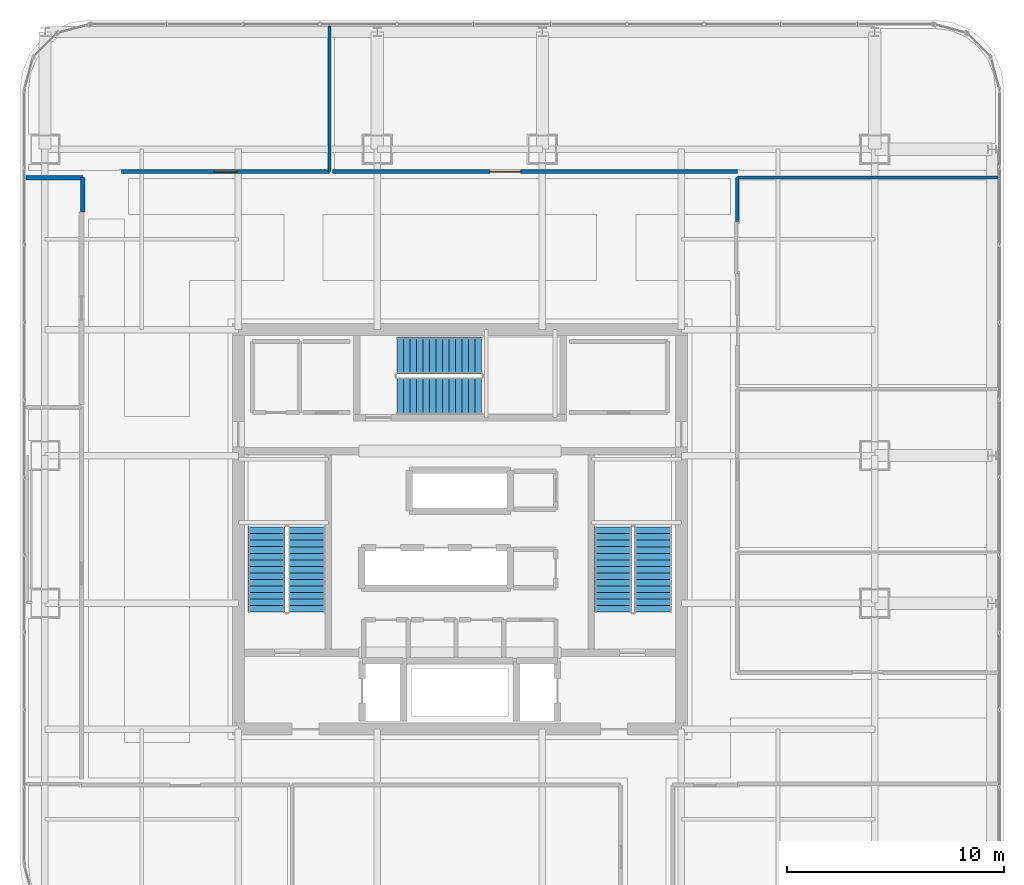
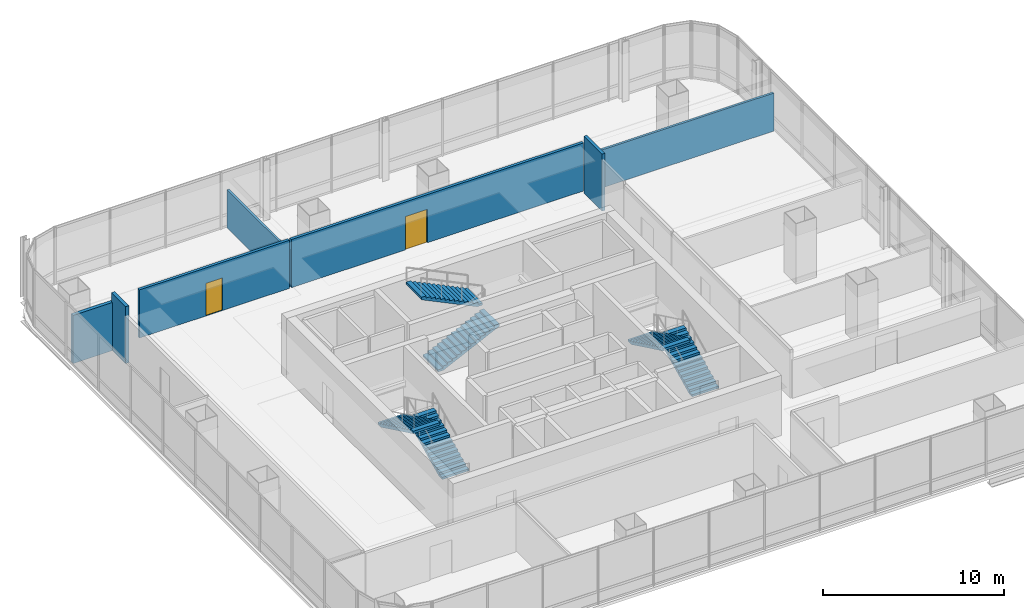
# One storey, part 35 of 42: 7 walls, 6 stair flights, 2 doors, 2 openings, 3 elements without a shape of their own.
"""IFC4 building model written with IfcOpenShell, lengths in metres."""

from ifc_helpers import new_model, si_unit, direction, frame, frame_2d, origin, place, context, subcontext, project, spatial, polyline, rectangle, outline, extrude, material, layer, layer_set, type_object, element, fill, aggregate, save


model = new_model("IFC4")

# Units and contexts
model_context = context("Model", 3, precision=1e-05, world=origin(), true_north=direction((0.0, 1.0)))
body_context = subcontext(model_context, "Body", "Model", "MODEL_VIEW")
ifc_project = project(units=[si_unit("LENGTHUNIT", "METRE"), si_unit("AREAUNIT", "SQUARE_METRE"), si_unit("VOLUMEUNIT", "CUBIC_METRE"), si_unit("PLANEANGLEUNIT", "RADIAN"), si_unit("MASSUNIT", "GRAM", prefix="KILO")], contexts=[model_context])

# Site, building, storey
site_placement = place(None, origin())
site = spatial("IfcSite", under=ifc_project, at=site_placement, CompositionType="ELEMENT")
building_placement = place(site_placement, origin())
building = spatial("IfcBuilding", under=site, at=building_placement, Name="Punatoya Terracotta Tower", CompositionType="ELEMENT")
storey_placement = place(building_placement, frame((0.0, 0.0, 259.5)))
storey = spatial("IfcBuildingStorey", under=building, at=storey_placement, Name="L61", CompositionType="ELEMENT", Elevation=259.5)

# Wall
ifc_material_1 = material(Name="Gypsum Fireboard + Steel Stud", Category="steel")
ifc_layer_1 = layer(ifc_material_1, 0.179931640625)
ifc_layer_set_1 = layer_set([ifc_layer_1], Name="Gypsum Fireboard + Steel Stud")
wall_type_1 = type_object("IfcWallType", Name="WL-CORR-180", PredefinedType="PARTITIONING", material=ifc_layer_set_1)
wall_1_placement = place(storey_placement, frame((12.77001953125, 14.179931640625, 0.0), z_axis=(0.0, 0.0, 1.0), x_axis=(0.0, 1.0, 0.0)))
element("IfcWall", 1, at=wall_1_placement, inside=storey, type_object=wall_type_1, Name="L61 Editorial Conference Room Partition 45", PredefinedType="PARTITIONING", context=body_context, shape_type="SweptSolid", body=[
    extrude(rectangle(XDim=2.010009765625, YDim=0.179931640625, at=frame_2d((1.0048828125, 0.0))), origin(), (0.0, 0.0, 1.0), 3.85009765625),
])

# Wall, opening, door
wall_2_placement = place(storey_placement, frame((-5.993896484375, 16.469970703125, 0.0), z_axis=(0.0, 0.0, 1.0), x_axis=(-1.0, 0.0, 0.0)))
wall_2 = element("IfcWall", 2, at=wall_2_placement, inside=storey, type_object=wall_type_1, Name="L61 Open-Plan Client Briefing Office Partition 48", PredefinedType="PARTITIONING", context=body_context, shape_type="SweptSolid", body=[
    extrude(rectangle(XDim=9.576171875, YDim=0.179931640625, at=frame_2d((4.7880859375, 0.0))), origin(), (0.0, 0.0, 1.0), 3.243896484375),
])
opening_1_placement = place(wall_2_placement, frame((4.262939453125, 0.0, 0.0)))
opening_1 = element("IfcOpeningElement", 3, at=opening_1_placement, cuts=wall_2, Name="Opening OD-01", PredefinedType="OPENING", context=body_context, shape_type="SweptSolid", body=[
    extrude(rectangle(XDim=1.050048828125, YDim=2.199951171875, at=frame_2d((0.52490234375, 1.10009765625))), frame((0.0, 0.099853515625, 0.0), z_axis=(0.0, -1.0, 0.0), x_axis=(1.0, 0.0, 0.0)), (0.0, 0.0, 1.0), 0.199951171875),
])
ifc_material_2 = material(Name="Bengal Teak Solid-Core Leaf")
door_type_1 = type_object("IfcDoorType", Name="DR-OFF-1050", OperationType="NOTDEFINED", PredefinedType="DOOR", material=ifc_material_2)
door_1_placement = place(opening_1_placement, origin())
door_1 = element("IfcDoor", 4, at=door_1_placement, inside=storey, type_object=door_type_1, Name="L61 Open-Plan Client Briefing Office Door", OperationType="SINGLE_SWING_RIGHT", OverallHeight=2.199951171875, OverallWidth=1.050048828125, PredefinedType="DOOR", context=body_context, shape_type="SweptSolid", body=[
    extrude(rectangle(XDim=1.050048828125, YDim=2.199951171875, at=frame_2d((0.52490234375, 1.10009765625))), frame((0.0, 0.02490234375, 0.0), z_axis=(0.0, -1.0, 0.0), x_axis=(1.0, 0.0, 0.0)), (0.0, 0.0, 1.0), 0.050048828125),
])
fill(opening_1, door_1)

wall_3_placement = place(storey_placement, frame((12.77001953125, 16.469970703125, 0.0), z_axis=(0.0, 0.0, 1.0), x_axis=(-1.0, 0.0, 0.0)))
wall_3 = element("IfcWall", 5, at=wall_3_placement, inside=storey, type_object=wall_type_1, Name="L61 Visualization Review Room Partition 49", PredefinedType="PARTITIONING", context=body_context, shape_type="SweptSolid", body=[
    extrude(rectangle(XDim=18.64404296875, YDim=0.179931640625, at=frame_2d((9.322021484375, 0.0))), origin(), (0.0, 0.0, 1.0), 3.243896484375),
])
opening_2_placement = place(wall_3_placement, frame((9.971923828125, 0.0, 0.0)))
opening_2 = element("IfcOpeningElement", 6, at=opening_2_placement, cuts=wall_3, Name="Opening BD-01", PredefinedType="OPENING", context=body_context, shape_type="SweptSolid", body=[
    extrude(rectangle(XDim=1.39990234375, YDim=2.25, at=frame_2d((0.699951171875, 1.125))), frame((0.0, 0.099853515625, 0.0), z_axis=(0.0, -1.0, 0.0), x_axis=(1.0, 0.0, 0.0)), (0.0, 0.0, 1.0), 0.199951171875),
])
ifc_material_3 = material(Name="Bengal Teak Acoustic Leaf")
door_type_2 = type_object("IfcDoorType", Name="DR-BRD-1400", OperationType="NOTDEFINED", PredefinedType="DOOR", material=ifc_material_3)
door_2_placement = place(opening_2_placement, origin())
door_2 = element("IfcDoor", 7, at=door_2_placement, inside=storey, type_object=door_type_2, Name="L61 Visualization Review Room Door", OperationType="SINGLE_SWING_LEFT", OverallHeight=2.25, OverallWidth=1.39990234375, PredefinedType="DOOR", context=body_context, shape_type="SweptSolid", body=[
    extrude(rectangle(XDim=1.39990234375, YDim=2.25, at=frame_2d((0.699951171875, 1.125))), frame((0.0, 0.02490234375, 0.0), z_axis=(0.0, -1.0, 0.0), x_axis=(1.0, 0.0, 0.0)), (0.0, 0.0, 1.0), 0.050048828125),
])
fill(opening_2, door_2)

# Walls
ifc_material_4 = material(Name="Concrete C40/50", Category="concrete")
ifc_layer_2 = layer(ifc_material_4, 0.219970703125)
ifc_layer_set_2 = layer_set([ifc_layer_2], Name="Concrete C40/50")
wall_type_2 = type_object("IfcWallType", Name="WL-FIR-220", PredefinedType="SOLIDWALL", material=ifc_layer_set_2)
wall_4_placement = place(storey_placement, frame((-19.969970703125, 16.18994140625, 0.0), z_axis=(0.0, 0.0, 1.0), x_axis=(1.0, 0.0, 0.0)))
element("IfcWall", 8, at=wall_4_placement, inside=storey, type_object=wall_type_2, Name="L61 Model-Making Archive Partition 40", PredefinedType="SOLIDWALL", context=body_context, shape_type="SweptSolid", body=[
    extrude(rectangle(XDim=2.60986328125, YDim=0.219970703125, at=frame_2d((1.304931640625, 0.0))), origin(), (0.0, 0.0, 1.0), 3.243896484375),
])
wall_5_placement = place(storey_placement, frame((-17.360107421875, 16.18994140625, 0.0), z_axis=(0.0, 0.0, 1.0), x_axis=(0.0, -1.0, 0.0)))
element("IfcWall", 9, at=wall_5_placement, inside=storey, type_object=wall_type_2, Name="L61 Model-Making Archive Partition 41", PredefinedType="SOLIDWALL", context=body_context, shape_type="SweptSolid", body=[
    extrude(rectangle(XDim=1.56982421875, YDim=0.219970703125, at=frame_2d((0.784912109375, 0.0))), origin(), (0.0, 0.0, 1.0), 3.85009765625),
])
ifc_material_5 = material(Name="Acoustic Gypsum + Steel Stud", Category="steel")
ifc_layer_3 = layer(ifc_material_5, 0.139892578125)
ifc_layer_set_3 = layer_set([ifc_layer_3], Name="Acoustic Gypsum + Steel Stud")
wall_type_3 = type_object("IfcWallType", Name="WL-OFF-140", PredefinedType="PARTITIONING", material=ifc_layer_set_3)
wall_6_placement = place(storey_placement, frame((12.77001953125, 16.18994140625, 0.0), z_axis=(0.0, 0.0, 1.0), x_axis=(1.0, 0.0, 0.0)))
element("IfcWall", 10, at=wall_6_placement, inside=storey, type_object=wall_type_3, Name="L61 Editorial Conference Room Partition 46", PredefinedType="PARTITIONING", context=body_context, shape_type="SweptSolid", body=[
    extrude(rectangle(XDim=12.0, YDim=0.139892578125, at=frame_2d((6.0, 0.0))), origin(), (0.0, 0.0, 1.0), 2.56396484375),
])
wall_7_placement = place(storey_placement, frame((-5.993896484375, 23.169921875, 0.0), z_axis=(0.0, 0.0, 1.0), x_axis=(0.0, -1.0, 0.0)))
element("IfcWall", 11, at=wall_7_placement, inside=storey, type_object=wall_type_3, Name="L61 Open-Plan Client Briefing Office Partition 47", PredefinedType="PARTITIONING", context=body_context, shape_type="SweptSolid", body=[
    extrude(rectangle(XDim=6.699951171875, YDim=0.139892578125, at=frame_2d((3.35009765625, 0.0))), origin(), (0.0, 0.0, 1.0), 2.56396484375),
])

# Stair, stair flights
stair_type_1 = type_object("IfcStairType", Name="STR-CORE-1550", PredefinedType="HALF_TURN_STAIR", material=ifc_material_4)
stair_1_placement = place(storey_placement, origin())
stair_1 = element("IfcStair", 12, at=stair_1_placement, inside=storey, type_object=stair_type_1, Name="L61 Protected Core Exit Stair ST-1", PredefinedType="HALF_TURN_STAIR")
stair_flight_type_1 = type_object("IfcStairFlightType", Name="SFL-CORE-1550", PredefinedType="STRAIGHT", material=ifc_material_4)
stair_flight_1_placement = place(storey_placement, frame((-7.050048828125, -3.800048828125, 0.0), z_axis=(0.0, 0.0, 1.0), x_axis=(0.0, 1.0, 0.0)))
stair_flight_1 = element("IfcStairFlight", 13, at=stair_flight_1_placement, type_object=stair_flight_type_1, Name="ST-1 flight 1", NumberOfRisers=14, NumberOfTreads=13, PredefinedType="STRAIGHT", RiserHeight=0.144642857, TreadLength=0.3, context=body_context, shape_type="SweptSolid", body=[
    extrude(outline(polyline([(0.0, 0.0), (0.0, 0.14453125), (0.300048828125, 0.14453125), (0.300048828125, 0.289306640625), (0.60009765625, 0.289306640625), (0.60009765625, 0.433837890625), (0.89990234375, 0.433837890625), (0.89990234375, 0.57861328125), (1.199951171875, 0.57861328125), (1.199951171875, 0.72314453125), (1.5, 0.72314453125), (1.5, 0.867919921875), (1.800048828125, 0.867919921875), (1.800048828125, 1.012451171875), (2.10009765625, 1.012451171875), (2.10009765625, 1.1572265625), (2.39990234375, 1.1572265625), (2.39990234375, 1.3017578125), (2.699951171875, 1.3017578125), (2.699951171875, 1.446533203125), (3.0, 1.446533203125), (3.0, 1.591064453125), (3.300048828125, 1.591064453125), (3.300048828125, 1.735595703125), (3.60009765625, 1.735595703125), (3.60009765625, 1.88037109375), (3.89990234375, 1.88037109375), (3.89990234375, 2.02490234375), (3.89990234375, 1.7138671875), (0.34521484375, 0.0), (0.0, 0.0)])), frame((0.0, 0.85009765625, 0.0), z_axis=(0.0, -1.0, 0.0), x_axis=(1.0, 0.0, 0.0)), (0.0, 0.0, 1.0), 1.699951171875),
])
stair_flight_2_placement = place(storey_placement, frame((-8.89990234375, 0.10009765625, 2.02490234375), z_axis=(0.0, 0.0, 1.0), x_axis=(0.0, -1.0, 0.0)))
stair_flight_2 = element("IfcStairFlight", 14, at=stair_flight_2_placement, type_object=stair_flight_type_1, Name="ST-1 flight 2", NumberOfRisers=14, NumberOfTreads=13, PredefinedType="STRAIGHT", RiserHeight=0.144642857, TreadLength=0.3, context=body_context, shape_type="SweptSolid", body=[
    extrude(outline(polyline([(0.0, 0.0), (0.0, 0.14453125), (0.300048828125, 0.14453125), (0.300048828125, 0.289306640625), (0.60009765625, 0.289306640625), (0.60009765625, 0.433837890625), (0.89990234375, 0.433837890625), (0.89990234375, 0.57861328125), (1.199951171875, 0.57861328125), (1.199951171875, 0.72314453125), (1.5, 0.72314453125), (1.5, 0.867919921875), (1.800048828125, 0.867919921875), (1.800048828125, 1.012451171875), (2.10009765625, 1.012451171875), (2.10009765625, 1.1572265625), (2.39990234375, 1.1572265625), (2.39990234375, 1.3017578125), (2.699951171875, 1.3017578125), (2.699951171875, 1.446533203125), (3.0, 1.446533203125), (3.0, 1.591064453125), (3.300048828125, 1.591064453125), (3.300048828125, 1.735595703125), (3.60009765625, 1.735595703125), (3.60009765625, 1.88037109375), (3.89990234375, 1.88037109375), (3.89990234375, 2.02490234375), (3.89990234375, 1.7138671875), (0.34521484375, 0.0), (0.0, 0.0)])), frame((0.0, 0.85009765625, 0.0), z_axis=(0.0, -1.0, 0.0), x_axis=(1.0, 0.0, 0.0)), (0.0, 0.0, 1.0), 1.699951171875),
])
aggregate(stair_1, [stair_flight_1, stair_flight_2])

stair_type_2 = type_object("IfcStairType", Name="STR-LOB-1650", PredefinedType="HALF_TURN_STAIR", material=ifc_material_4)
stair_2_placement = place(storey_placement, origin())
stair_2 = element("IfcStair", 15, at=stair_2_placement, inside=storey, type_object=stair_type_2, Name="L61 Protected Core Exit Stair ST-2", PredefinedType="HALF_TURN_STAIR")
stair_flight_type_2 = type_object("IfcStairFlightType", Name="SFL-LOB-1650", PredefinedType="STRAIGHT", material=ifc_material_4)
stair_flight_3_placement = place(storey_placement, frame((8.89990234375, -3.800048828125, 0.0), z_axis=(0.0, 0.0, 1.0), x_axis=(0.0, 1.0, 0.0)))
stair_flight_3 = element("IfcStairFlight", 16, at=stair_flight_3_placement, type_object=stair_flight_type_2, Name="ST-2 flight 1", NumberOfRisers=14, NumberOfTreads=13, PredefinedType="STRAIGHT", RiserHeight=0.144642857, TreadLength=0.3, context=body_context, shape_type="SweptSolid", body=[
    extrude(outline(polyline([(0.0, 0.0), (0.0, 0.14453125), (0.300048828125, 0.14453125), (0.300048828125, 0.289306640625), (0.60009765625, 0.289306640625), (0.60009765625, 0.433837890625), (0.89990234375, 0.433837890625), (0.89990234375, 0.57861328125), (1.199951171875, 0.57861328125), (1.199951171875, 0.72314453125), (1.5, 0.72314453125), (1.5, 0.867919921875), (1.800048828125, 0.867919921875), (1.800048828125, 1.012451171875), (2.10009765625, 1.012451171875), (2.10009765625, 1.1572265625), (2.39990234375, 1.1572265625), (2.39990234375, 1.3017578125), (2.699951171875, 1.3017578125), (2.699951171875, 1.446533203125), (3.0, 1.446533203125), (3.0, 1.591064453125), (3.300048828125, 1.591064453125), (3.300048828125, 1.735595703125), (3.60009765625, 1.735595703125), (3.60009765625, 1.88037109375), (3.89990234375, 1.88037109375), (3.89990234375, 2.02490234375), (3.89990234375, 1.7138671875), (0.34521484375, 0.0), (0.0, 0.0)])), frame((0.0, 0.85009765625, 0.0), z_axis=(0.0, -1.0, 0.0), x_axis=(1.0, 0.0, 0.0)), (0.0, 0.0, 1.0), 1.699951171875),
])
stair_flight_4_placement = place(storey_placement, frame((7.050048828125, 0.10009765625, 2.02490234375), z_axis=(0.0, 0.0, 1.0), x_axis=(0.0, -1.0, 0.0)))
stair_flight_4 = element("IfcStairFlight", 17, at=stair_flight_4_placement, type_object=stair_flight_type_2, Name="ST-2 flight 2", NumberOfRisers=14, NumberOfTreads=13, PredefinedType="STRAIGHT", RiserHeight=0.144642857, TreadLength=0.3, context=body_context, shape_type="SweptSolid", body=[
    extrude(outline(polyline([(0.0, 0.0), (0.0, 0.14453125), (0.300048828125, 0.14453125), (0.300048828125, 0.289306640625), (0.60009765625, 0.289306640625), (0.60009765625, 0.433837890625), (0.89990234375, 0.433837890625), (0.89990234375, 0.57861328125), (1.199951171875, 0.57861328125), (1.199951171875, 0.72314453125), (1.5, 0.72314453125), (1.5, 0.867919921875), (1.800048828125, 0.867919921875), (1.800048828125, 1.012451171875), (2.10009765625, 1.012451171875), (2.10009765625, 1.1572265625), (2.39990234375, 1.1572265625), (2.39990234375, 1.3017578125), (2.699951171875, 1.3017578125), (2.699951171875, 1.446533203125), (3.0, 1.446533203125), (3.0, 1.591064453125), (3.300048828125, 1.591064453125), (3.300048828125, 1.735595703125), (3.60009765625, 1.735595703125), (3.60009765625, 1.88037109375), (3.89990234375, 1.88037109375), (3.89990234375, 2.02490234375), (3.89990234375, 1.7138671875), (0.34521484375, 0.0), (0.0, 0.0)])), frame((0.0, 0.85009765625, 0.0), z_axis=(0.0, -1.0, 0.0), x_axis=(1.0, 0.0, 0.0)), (0.0, 0.0, 1.0), 1.699951171875),
])
aggregate(stair_2, [stair_flight_3, stair_flight_4])

stair_type_3 = type_object("IfcStairType", Name="STR-TER-1450", PredefinedType="HALF_TURN_STAIR", material=ifc_material_4)
stair_3_placement = place(storey_placement, origin())
stair_3 = element("IfcStair", 18, at=stair_3_placement, inside=storey, type_object=stair_type_3, Name="L61 Protected Core Exit Stair ST-3", PredefinedType="HALF_TURN_STAIR")
stair_flight_type_3 = type_object("IfcStairFlightType", Name="SFL-TER-1450", PredefinedType="STRAIGHT", material=ifc_material_4)
stair_flight_5_placement = place(storey_placement, frame((-2.89990234375, 6.14990234375, 0.0), z_axis=(0.0, 0.0, 1.0), x_axis=(1.0, 0.0, 0.0)))
stair_flight_5 = element("IfcStairFlight", 19, at=stair_flight_5_placement, type_object=stair_flight_type_3, Name="ST-3 flight 1", NumberOfRisers=14, NumberOfTreads=13, PredefinedType="STRAIGHT", RiserHeight=0.144642857, TreadLength=0.3, context=body_context, shape_type="SweptSolid", body=[
    extrude(outline(polyline([(0.0, 0.0), (0.0, 0.14453125), (0.300048828125, 0.14453125), (0.300048828125, 0.289306640625), (0.60009765625, 0.289306640625), (0.60009765625, 0.433837890625), (0.89990234375, 0.433837890625), (0.89990234375, 0.57861328125), (1.199951171875, 0.57861328125), (1.199951171875, 0.72314453125), (1.5, 0.72314453125), (1.5, 0.867919921875), (1.800048828125, 0.867919921875), (1.800048828125, 1.012451171875), (2.10009765625, 1.012451171875), (2.10009765625, 1.1572265625), (2.39990234375, 1.1572265625), (2.39990234375, 1.3017578125), (2.699951171875, 1.3017578125), (2.699951171875, 1.446533203125), (3.0, 1.446533203125), (3.0, 1.591064453125), (3.300048828125, 1.591064453125), (3.300048828125, 1.735595703125), (3.60009765625, 1.735595703125), (3.60009765625, 1.88037109375), (3.89990234375, 1.88037109375), (3.89990234375, 2.02490234375), (3.89990234375, 1.7138671875), (0.34521484375, 0.0), (0.0, 0.0)])), frame((0.0, 0.85009765625, 0.0), z_axis=(0.0, -1.0, 0.0), x_axis=(1.0, 0.0, 0.0)), (0.0, 0.0, 1.0), 1.699951171875),
])
stair_flight_6_placement = place(storey_placement, frame((1.0, 8.0, 2.02490234375), z_axis=(0.0, 0.0, 1.0), x_axis=(-1.0, 0.0, 0.0)))
stair_flight_6 = element("IfcStairFlight", 20, at=stair_flight_6_placement, type_object=stair_flight_type_3, Name="ST-3 flight 2", NumberOfRisers=14, NumberOfTreads=13, PredefinedType="STRAIGHT", RiserHeight=0.144642857, TreadLength=0.3, context=body_context, shape_type="SweptSolid", body=[
    extrude(outline(polyline([(0.0, 0.0), (0.0, 0.14453125), (0.300048828125, 0.14453125), (0.300048828125, 0.289306640625), (0.60009765625, 0.289306640625), (0.60009765625, 0.433837890625), (0.89990234375, 0.433837890625), (0.89990234375, 0.57861328125), (1.199951171875, 0.57861328125), (1.199951171875, 0.72314453125), (1.5, 0.72314453125), (1.5, 0.867919921875), (1.800048828125, 0.867919921875), (1.800048828125, 1.012451171875), (2.10009765625, 1.012451171875), (2.10009765625, 1.1572265625), (2.39990234375, 1.1572265625), (2.39990234375, 1.3017578125), (2.699951171875, 1.3017578125), (2.699951171875, 1.446533203125), (3.0, 1.446533203125), (3.0, 1.591064453125), (3.300048828125, 1.591064453125), (3.300048828125, 1.735595703125), (3.60009765625, 1.735595703125), (3.60009765625, 1.88037109375), (3.89990234375, 1.88037109375), (3.89990234375, 2.02490234375), (3.89990234375, 1.7138671875), (0.34521484375, 0.0), (0.0, 0.0)])), frame((0.0, 0.85009765625, 0.0), z_axis=(0.0, -1.0, 0.0), x_axis=(1.0, 0.0, 0.0)), (0.0, 0.0, 1.0), 1.699951171875),
])
aggregate(stair_3, [stair_flight_5, stair_flight_6])

save(model, "model.ifc")
